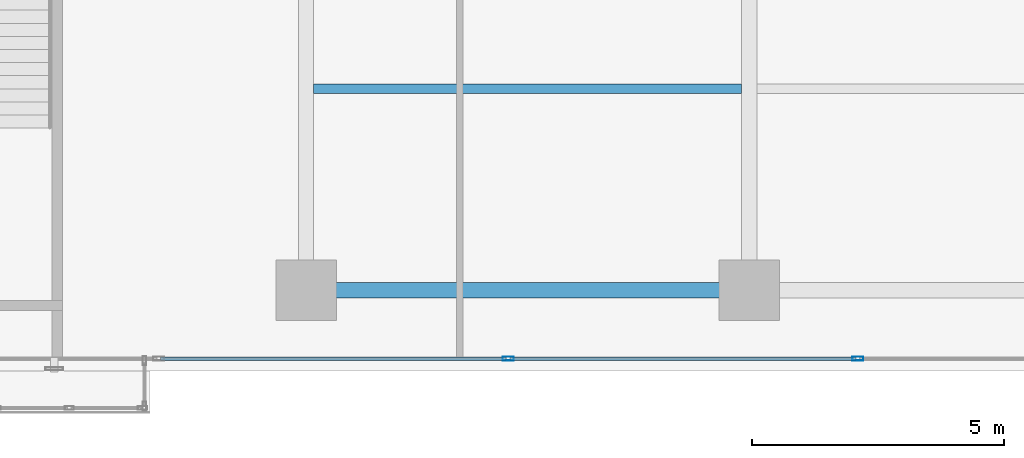
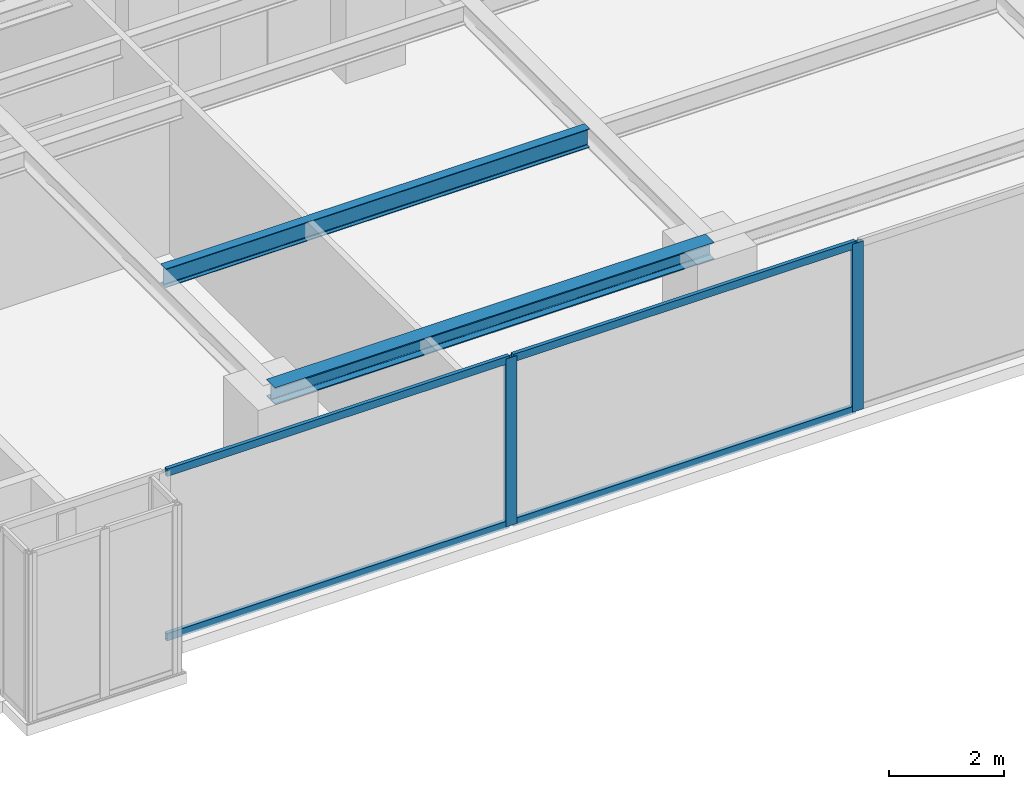
# One storey, part 10 of 24: 6 members, 2 beams, 1 element without a shape of its own.
"""IFC4 building model written with IfcOpenShell, lengths in metres."""

from ifc_helpers import new_model, si_unit, direction, frame, origin, origin_with_axes, origin_2d, place, context, subcontext, project, spatial, hollow_rectangle, i_section, extrude, source, transform, mapped, material, layer, layer_set, material_profile, profile_set, type_object, element, aggregate, save


model = new_model("IFC4")

# Units and contexts
model_context = context("Model", 3, precision=1e-05, world=origin(), true_north=direction((0.0, 1.0)))
body_context = subcontext(model_context, "Body", "Model", "MODEL_VIEW")
ifc_project = project(units=[si_unit("LENGTHUNIT", "METRE"), si_unit("AREAUNIT", "SQUARE_METRE"), si_unit("VOLUMEUNIT", "CUBIC_METRE"), si_unit("PLANEANGLEUNIT", "RADIAN"), si_unit("MASSUNIT", "GRAM", prefix="KILO")], contexts=[model_context])

# Site, building, storey
site_placement = place(None, origin())
site = spatial("IfcSite", under=ifc_project, at=site_placement, CompositionType="ELEMENT")
building_placement = place(site_placement, origin())
building = spatial("IfcBuilding", under=site, at=building_placement, Name="Kolvaren Waterfront Exchange", CompositionType="ELEMENT")
storey_placement = place(building_placement, frame((0.0, 0.0, 157.60009765625)))
storey = spatial("IfcBuildingStorey", under=building, at=storey_placement, Name="L40", CompositionType="ELEMENT", Elevation=157.60009765625)

# Beams
ifc_material_1 = material(Name="Steel S355", Category="steel")
ifc_material_profile_1 = material_profile(ifc_material_1, i_section(OverallWidth=0.300048828125, OverallDepth=0.360107421875, WebThickness=0.012451171875, FlangeThickness=0.0224609375, FilletRadius=0.027099609375, at=origin_2d()), Name="HEB360")
ifc_profile_set_1 = profile_set([ifc_material_profile_1], Name="Steel S355")
beam_type_1 = type_object("IfcBeamType", Name="STR-BM-HEB360", PredefinedType="SPANDREL", material=ifc_profile_set_1)
beam_1_placement = place(storey_placement, frame((36.800048828125, 5.199951171875, 3.3798828125), z_axis=(1.0, 0.0, 0.0), x_axis=(0.0, 1.0, 0.0)))
element("IfcBeam", 1, at=beam_1_placement, inside=storey, type_object=beam_type_1, Name="L40 east-arm spandrel S3", PredefinedType="SPANDREL", context=body_context, shape_type="SweptSolid", body=[
    extrude(i_section(OverallWidth=0.300048828125, OverallDepth=0.360107421875, WebThickness=0.012451171875, FlangeThickness=0.0224609375, FilletRadius=0.027099609375, at=origin_2d()), origin(), (0.0, 0.0, 1.0), 8.800048828125),
])
ifc_material_profile_2 = material_profile(ifc_material_1, i_section(OverallWidth=0.179931640625, OverallDepth=0.39990234375, WebThickness=0.008544921875, FlangeThickness=0.013427734375, FilletRadius=0.02099609375, at=origin_2d()), Name="IPE400")
ifc_profile_set_2 = profile_set([ifc_material_profile_2], Name="Steel S355")
beam_type_2 = type_object("IfcBeamType", Name="STR-BM-IPE400", PredefinedType="JOIST", material=ifc_profile_set_2)
beam_2_placement = place(storey_placement, frame((36.951904296875, 9.199951171875, 3.35986328125), z_axis=(1.0, 0.0, 0.0), x_axis=(0.0, 1.0, 0.0)))
element("IfcBeam", 2, at=beam_2_placement, inside=storey, type_object=beam_type_2, Name="L40 east-arm composite joist 3B", PredefinedType="JOIST", context=body_context, shape_type="SweptSolid", body=[
    extrude(i_section(OverallWidth=0.179931640625, OverallDepth=0.39990234375, WebThickness=0.008544921875, FlangeThickness=0.013427734375, FilletRadius=0.02099609375, at=origin_2d()), origin(), (0.0, 0.0, 1.0), 8.49609375),
])

# Curtain wall, members
ifc_material_2 = material(Name="Anodised bronze aluminium 6063-T6", Category="aluminium")
ifc_layer = layer(ifc_material_2, 0.219970703125, Name="Anodised bronze aluminium 6063-T6")
ifc_layer_set = layer_set([ifc_layer], Name="Anodised bronze aluminium 6063-T6")
curtain_wall_type = type_object("IfcCurtainWallType", Name="ARC-CW-SYS1", PredefinedType="USERDEFINED", material=ifc_layer_set)
curtain_wall_placement = place(storey_placement, origin())
curtain_wall = element("IfcCurtainWall", 3, at=curtain_wall_placement, inside=storey, type_object=curtain_wall_type, Name="L40 stick curtain wall CW1 (CW-L40-S)", ObjectType="STICK CURTAIN WALL", PredefinedType="USERDEFINED")
ifc_material_3 = material(Name="Anodised aluminium 6063-T6", Category="aluminium")
ifc_material_profile_3 = material_profile(ifc_material_3, hollow_rectangle(XDim=0.074951171875, YDim=0.159912109375, WallThickness=0.00439453125, at=origin_2d()), Name="ALU-TRN-160x75x4.5")
ifc_profile_set_3 = profile_set([ifc_material_profile_3], Name="Anodised aluminium 6063-T6")
member_type_1 = type_object("IfcMemberType", Name="ARC-CWT-160", PredefinedType="USERDEFINED", material=ifc_profile_set_3)
shared_shape_1 = source(origin_with_axes(), body_context, "Body", "SweptSolid", [
    extrude(hollow_rectangle(XDim=0.074951171875, YDim=0.159912109375, WallThickness=0.00439453125, at=origin_2d()), origin(), (0.0, 0.0, 1.0), 6.86279296875),
])
member_1_placement = place(storey_placement, frame((33.911376953125, 3.840087890625, 0.037353515625), z_axis=(1.0, 0.0, 0.0), x_axis=(0.0, 1.0, 0.0)))
member_1 = element("IfcMember", 4, at=member_1_placement, type_object=member_type_1, Name="CW1 transom 5.1", ObjectType="TRANSOM", PredefinedType="USERDEFINED", context=body_context, shape_type="MappedRepresentation", body=[
    mapped(shared_shape_1, transform((0.0, 0.0, 0.0), x_axis=(1.0, 0.0, 0.0), y_axis=(0.0, 1.0, 0.0), z_axis=(0.0, 0.0, 1.0), scale=1.0)),
])
member_2_placement = place(storey_placement, frame((33.911376953125, 3.840087890625, 3.5224609375), z_axis=(1.0, 0.0, 0.0), x_axis=(0.0, 1.0, 0.0)))
member_2 = element("IfcMember", 5, at=member_2_placement, type_object=member_type_1, Name="CW1 transom 5.2", ObjectType="TRANSOM", PredefinedType="USERDEFINED", context=body_context, shape_type="MappedRepresentation", body=[
    mapped(shared_shape_1, transform((0.0, 0.0, 0.0), x_axis=(1.0, 0.0, 0.0), y_axis=(0.0, 1.0, 0.0), z_axis=(0.0, 0.0, 1.0), scale=1.0)),
])
member_3_placement = place(storey_placement, frame((40.854248046875, 3.840087890625, 0.037353515625), z_axis=(1.0, 0.0, 0.0), x_axis=(0.0, 1.0, 0.0)))
member_3 = element("IfcMember", 6, at=member_3_placement, type_object=member_type_1, Name="CW1 transom 6.1", ObjectType="TRANSOM", PredefinedType="USERDEFINED", context=body_context, shape_type="MappedRepresentation", body=[
    mapped(shared_shape_1, transform((0.0, 0.0, 0.0), x_axis=(1.0, 0.0, 0.0), y_axis=(0.0, 1.0, 0.0), z_axis=(0.0, 0.0, 1.0), scale=1.0)),
])
member_4_placement = place(storey_placement, frame((40.854248046875, 3.840087890625, 3.5224609375), z_axis=(1.0, 0.0, 0.0), x_axis=(0.0, 1.0, 0.0)))
member_4 = element("IfcMember", 7, at=member_4_placement, type_object=member_type_1, Name="CW1 transom 6.2", ObjectType="TRANSOM", PredefinedType="USERDEFINED", context=body_context, shape_type="MappedRepresentation", body=[
    mapped(shared_shape_1, transform((0.0, 0.0, 0.0), x_axis=(1.0, 0.0, 0.0), y_axis=(0.0, 1.0, 0.0), z_axis=(0.0, 0.0, 1.0), scale=1.0)),
])
ifc_material_profile_4 = material_profile(ifc_material_3, hollow_rectangle(XDim=0.080078125, YDim=0.219970703125, WallThickness=0.0048828125, at=origin_2d()), Name="ALU-MUL-220x80x5")
ifc_profile_set_4 = profile_set([ifc_material_profile_4], Name="Anodised aluminium 6063-T6")
member_type_2 = type_object("IfcMemberType", Name="ARC-CWM-220", PredefinedType="MULLION", material=ifc_profile_set_4)
shared_shape_2 = source(origin_with_axes(), body_context, "Body", "SweptSolid", [
    extrude(hollow_rectangle(XDim=0.080078125, YDim=0.219970703125, WallThickness=0.0048828125, at=origin_2d()), origin(), (0.0, 0.0, 1.0), 3.559814453125),
])
member_5_placement = place(storey_placement, frame((40.814208984375, 3.840087890625, 0.0), z_axis=(0.0, 0.0, 1.0), x_axis=(0.0, 1.0, 0.0)))
member_5 = element("IfcMember", 8, at=member_5_placement, type_object=member_type_2, Name="CW1 mullion 6", PredefinedType="MULLION", context=body_context, shape_type="MappedRepresentation", body=[
    mapped(shared_shape_2, transform((0.0, 0.0, 0.0), x_axis=(1.0, 0.0, 0.0), y_axis=(0.0, 1.0, 0.0), z_axis=(0.0, 0.0, 1.0), scale=1.0)),
])
member_6_placement = place(storey_placement, frame((47.757080078125, 3.840087890625, 0.0), z_axis=(0.0, 0.0, 1.0), x_axis=(0.0, 1.0, 0.0)))
member_6 = element("IfcMember", 9, at=member_6_placement, type_object=member_type_2, Name="CW1 mullion 7", PredefinedType="MULLION", context=body_context, shape_type="MappedRepresentation", body=[
    mapped(shared_shape_2, transform((0.0, 0.0, 0.0), x_axis=(1.0, 0.0, 0.0), y_axis=(0.0, 1.0, 0.0), z_axis=(0.0, 0.0, 1.0), scale=1.0)),
])
aggregate(curtain_wall, [member_5, member_6, member_1, member_2, member_3, member_4])

save(model, "model.ifc")
